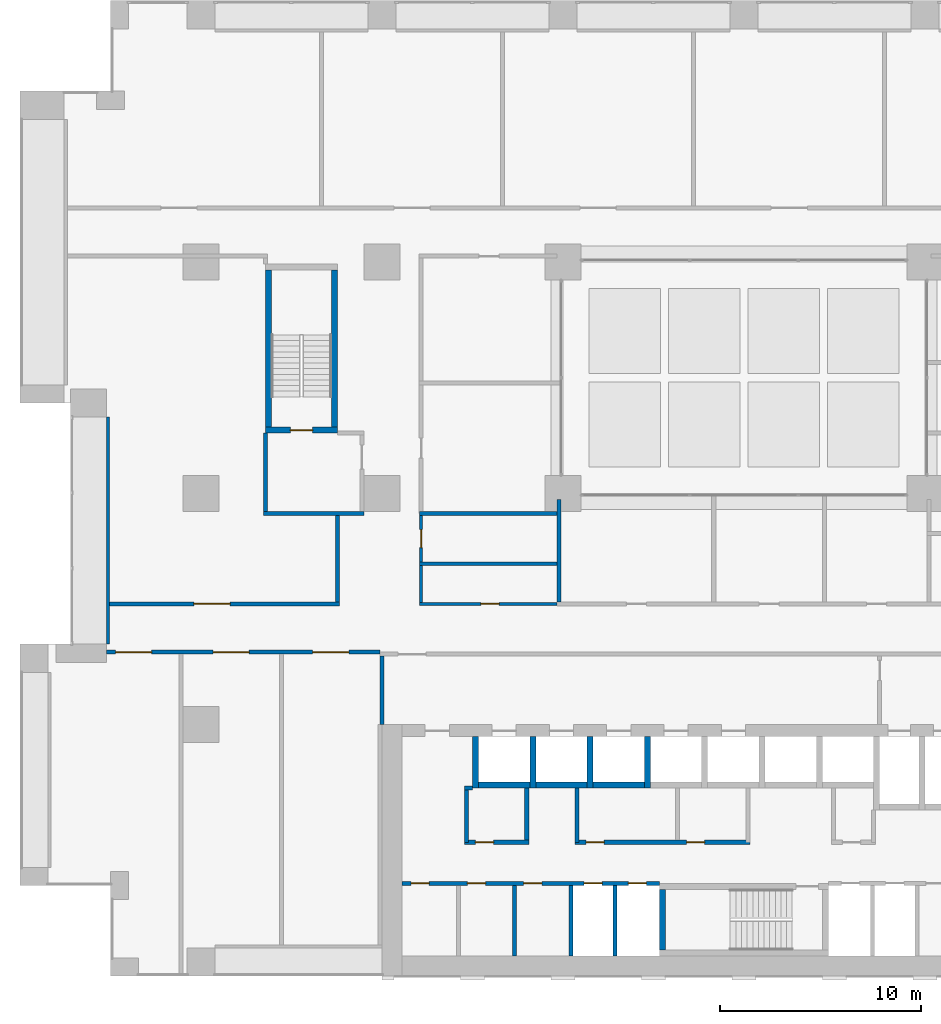
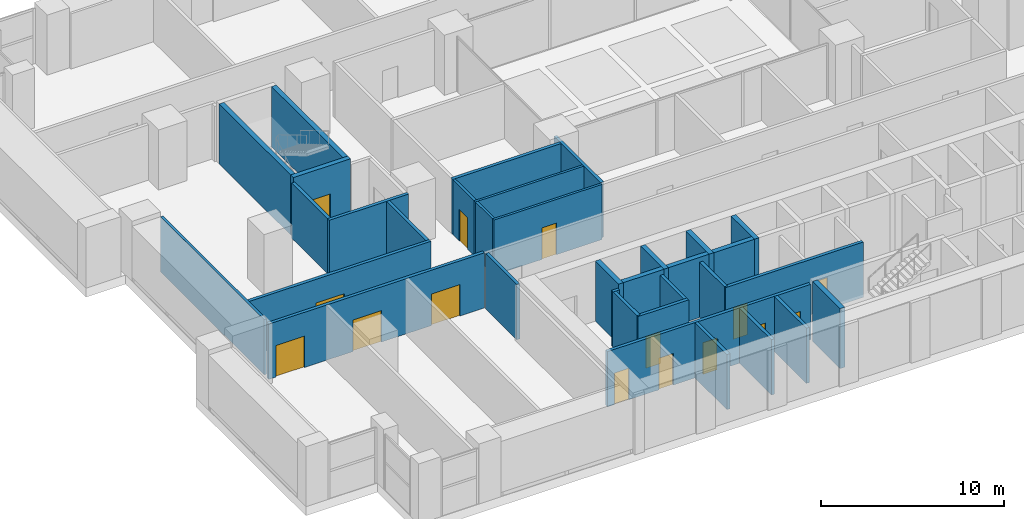
# One storey, part 20 of 24: 34 walls, 15 doors, 15 openings.
"""IFC4 building model written with IfcOpenShell, lengths in metres."""

from ifc_helpers import new_model, si_unit, direction, frame, frame_2d, origin, place, context, subcontext, project, spatial, rectangle, extrude, material, layer, layer_set, type_object, element, fill, save


model = new_model("IFC4")

# Units and contexts
model_context = context("Model", 3, precision=1e-05, world=origin(), true_north=direction((0.0, 1.0)))
body_context = subcontext(model_context, "Body", "Model", "MODEL_VIEW")
ifc_project = project(units=[si_unit("LENGTHUNIT", "METRE"), si_unit("AREAUNIT", "SQUARE_METRE"), si_unit("VOLUMEUNIT", "CUBIC_METRE"), si_unit("PLANEANGLEUNIT", "RADIAN"), si_unit("MASSUNIT", "GRAM", prefix="KILO")], contexts=[model_context])

# Site, building, storey
site_placement = place(None, origin())
site = spatial("IfcSite", under=ifc_project, at=site_placement, CompositionType="ELEMENT")
building_placement = place(site_placement, origin())
building = spatial("IfcBuilding", under=site, at=building_placement, Name="Brigalow Station Residences", CompositionType="ELEMENT")
storey_placement = place(building_placement, frame((0.0, 0.0, 15.5)))
storey = spatial("IfcBuildingStorey", under=building, at=storey_placement, Name="L03", CompositionType="ELEMENT", Elevation=15.5)

# Walls
ifc_material_1 = material(Name="Concrete C80", Category="concrete")
ifc_layer_1 = layer(ifc_material_1, 0.300048828125)
ifc_layer_set_1 = layer_set([ifc_layer_1], Name="CORE SHEAR WALL 300 C80")
wall_type_1 = type_object("IfcWallType", Name="CORE SHEAR WALL 300 C80", PredefinedType="SHEAR", material=ifc_layer_set_1)
wall_1_placement = place(storey_placement, frame((22.800048828125, 9.5, 0.0), z_axis=(0.0, 0.0, 1.0), x_axis=(1.0, 0.0, 0.0)))
element("IfcWall", 1, at=wall_1_placement, inside=storey, type_object=wall_type_1, Name="CORE WALL SH-P1-S L03", PredefinedType="SHEAR", context=body_context, shape_type="SweptSolid", body=[
    extrude(rectangle(XDim=2.550048828125, YDim=0.300048828125, at=frame_2d((1.27490234375, 0.0))), origin(), (0.0, 0.0, 1.0), 4.0),
])
wall_2_placement = place(storey_placement, frame((22.64990234375, 9.35009765625, 0.0), z_axis=(0.0, 0.0, 1.0), x_axis=(0.0, 1.0, 0.0)))
element("IfcWall", 2, at=wall_2_placement, inside=storey, type_object=wall_type_1, Name="CORE WALL SH-P1-W L03", PredefinedType="SHEAR", context=body_context, shape_type="SweptSolid", body=[
    extrude(rectangle(XDim=2.5498046875, YDim=0.300048828125, at=frame_2d((1.27490234375, 0.0))), origin(), (0.0, 0.0, 1.0), 4.0),
])
wall_3_placement = place(storey_placement, frame((25.64990234375, 9.5, 0.0), z_axis=(0.0, 0.0, 1.0), x_axis=(1.0, 0.0, 0.0)))
element("IfcWall", 3, at=wall_3_placement, inside=storey, type_object=wall_type_1, Name="CORE WALL SH-P2-S L03", PredefinedType="SHEAR", context=body_context, shape_type="SweptSolid", body=[
    extrude(rectangle(XDim=2.550048828125, YDim=0.300048828125, at=frame_2d((1.27490234375, 0.0))), origin(), (0.0, 0.0, 1.0), 4.0),
])
wall_4_placement = place(storey_placement, frame((25.5, 9.35009765625, 0.0), z_axis=(0.0, 0.0, 1.0), x_axis=(0.0, 1.0, 0.0)))
element("IfcWall", 4, at=wall_4_placement, inside=storey, type_object=wall_type_1, Name="CORE WALL SH-P2-W L03", PredefinedType="SHEAR", context=body_context, shape_type="SweptSolid", body=[
    extrude(rectangle(XDim=2.5498046875, YDim=0.300048828125, at=frame_2d((1.27490234375, 0.0))), origin(), (0.0, 0.0, 1.0), 4.0),
])
wall_5_placement = place(storey_placement, frame((28.5, 9.5, 0.0), z_axis=(0.0, 0.0, 1.0), x_axis=(1.0, 0.0, 0.0)))
element("IfcWall", 5, at=wall_5_placement, inside=storey, type_object=wall_type_1, Name="CORE WALL SH-P3-S L03", PredefinedType="SHEAR", context=body_context, shape_type="SweptSolid", body=[
    extrude(rectangle(XDim=2.550048828125, YDim=0.300048828125, at=frame_2d((1.27490234375, 0.0))), origin(), (0.0, 0.0, 1.0), 4.0),
])
for number, where, z_axis, x_axis, name in (
    (6, (28.35009765625, 9.35009765625, 0.0), (0.0, 0.0, 1.0), (0.0, 1.0, 0.0), "CORE WALL SH-P3-W L03"),
    (7, (31.199951171875, 9.35009765625, 0.0), (0.0, 0.0, 1.0), (0.0, 1.0, 0.0), "CORE WALL SH-P4-W L03"),
):
    element("IfcWall", number, at=place(storey_placement, frame(where, z_axis=z_axis, x_axis=x_axis)), inside=storey, type_object=wall_type_1, Name=name, PredefinedType="SHEAR", context=body_context, shape_type="SweptSolid", body=[
        extrude(rectangle(XDim=2.5498046875, YDim=0.300048828125, at=frame_2d((1.27490234375, 0.0))), origin(), (0.0, 0.0, 1.0), 4.0),
    ])
wall_6_placement = place(storey_placement, frame((31.949951171875, 1.300048828125, 0.0), z_axis=(0.0, 0.0, 1.0), x_axis=(0.0, 1.0, 0.0)))
element("IfcWall", 8, at=wall_6_placement, inside=storey, type_object=wall_type_1, Name="CORE WALL ST-S2-W L03", PredefinedType="SHEAR", context=body_context, shape_type="SweptSolid", body=[
    extrude(rectangle(XDim=3.0, YDim=0.300048828125, at=frame_2d((1.5, 0.0))), origin(), (0.0, 0.0, 1.0), 4.0),
])

# Wall, opening, door
wall_7_placement = place(storey_placement, frame((12.199951171875, 27.14990234375, 0.0), z_axis=(0.0, 0.0, 1.0), x_axis=(1.0, 0.0, 0.0)))
wall_7 = element("IfcWall", 9, at=wall_7_placement, inside=storey, type_object=wall_type_1, Name="CORE WALL ST-S1-S L03", PredefinedType="SHEAR", context=body_context, shape_type="SweptSolid", body=[
    extrude(rectangle(XDim=3.60009765625, YDim=0.300048828125, at=frame_2d((1.800048828125, 0.0))), origin(), (0.0, 0.0, 1.0), 4.0),
])
opening_1_placement = place(wall_7_placement, frame((1.25, 0.0, 0.0)))
opening_1 = element("IfcOpeningElement", 10, at=opening_1_placement, cuts=wall_7, Name="Opening D-5015", PredefinedType="OPENING", context=body_context, shape_type="SweptSolid", body=[
    extrude(rectangle(XDim=1.10009765625, YDim=2.10009765625, at=frame_2d((0.550048828125, 1.050048828125))), frame((0.0, 0.16015625, 0.0), z_axis=(0.0, -1.0, 0.0), x_axis=(1.0, 0.0, 0.0)), (0.0, 0.0, 1.0), 0.320068359375),
])
ifc_material_2 = material(Name="Steel fire door leaf in steel frame", Category="steel")
door_type_1 = type_object("IfcDoorType", Name="STAIR DOOR 1100 x 2100 FD60S", OperationType="SINGLE_SWING_LEFT", PredefinedType="DOOR", material=ifc_material_2)
door_1_placement = place(opening_1_placement, origin())
door_1 = element("IfcDoor", 11, at=door_1_placement, inside=storey, type_object=door_type_1, Name="D-5015", OperationType="SINGLE_SWING_LEFT", OverallHeight=2.10009765625, OverallWidth=1.10009765625, PredefinedType="DOOR", context=body_context, shape_type="SweptSolid", body=[
    extrude(rectangle(XDim=1.10009765625, YDim=2.10009765625, at=frame_2d((0.550048828125, 1.050048828125))), frame((0.0, 0.02490234375, 0.0), z_axis=(0.0, -1.0, 0.0), x_axis=(1.0, 0.0, 0.0)), (0.0, 0.0, 1.0), 0.050048828125),
])
fill(opening_1, door_1)

# Walls
for number, where, z_axis, x_axis, name in (
    (12, (12.35009765625, 27.300048828125, 0.0), (0.0, 0.0, 1.0), (0.0, 1.0, 0.0), "CORE WALL ST-S1-W L03"),
    (13, (15.64990234375, 27.300048828125, 0.0), (0.0, 0.0, 1.0), (0.0, 1.0, 0.0), "CORE WALL ST-S1-E L03"),
):
    element("IfcWall", number, at=place(storey_placement, frame(where, z_axis=z_axis, x_axis=x_axis)), inside=storey, type_object=wall_type_1, Name=name, PredefinedType="SHEAR", context=body_context, shape_type="SweptSolid", body=[
        extrude(rectangle(XDim=7.800048828125, YDim=0.300048828125, at=frame_2d((3.89990234375, 0.0))), origin(), (0.0, 0.0, 1.0), 4.0),
    ])

# Wall, openings, doors
ifc_material_3 = material(Name="Concrete blockwork", Category="masonry")
ifc_layer_2 = layer(ifc_material_3, 0.199951171875)
ifc_layer_set_2 = layer_set([ifc_layer_2], Name="FIRE RATED CORE PARTITION 200")
wall_type_2 = type_object("IfcWallType", Name="FIRE RATED CORE PARTITION 200", PredefinedType="PARTITIONING", material=ifc_layer_set_2)
wall_8_placement = place(storey_placement, frame((19.0, 4.60009765625, 0.0), z_axis=(0.0, 0.0, 1.0), x_axis=(1.0, 0.0, 0.0)))
wall_8 = element("IfcWall", 14, at=wall_8_placement, inside=storey, type_object=wall_type_2, Name="PW-5001", PredefinedType="PARTITIONING", context=body_context, shape_type="SweptSolid", body=[
    extrude(rectangle(XDim=12.800048828125, YDim=0.199951171875, at=frame_2d((6.39990234375, 0.0))), origin(), (0.0, 0.0, 1.0), 3.679931640625),
])
opening_2_placement = place(wall_8_placement, frame((0.449951171875, 0.0, 0.0)))
opening_2 = element("IfcOpeningElement", 15, at=opening_2_placement, cuts=wall_8, Name="Opening D-5004", PredefinedType="OPENING", context=body_context, shape_type="SweptSolid", body=[
    extrude(rectangle(XDim=0.89990234375, YDim=2.10009765625, at=frame_2d((0.449951171875, 1.050048828125))), frame((0.0, 0.10986328125, 0.0), z_axis=(0.0, -1.0, 0.0), x_axis=(1.0, 0.0, 0.0)), (0.0, 0.0, 1.0), 0.219970703125),
])
opening_3_placement = place(wall_8_placement, frame((3.25, 0.0, 0.0)))
opening_3 = element("IfcOpeningElement", 16, at=opening_3_placement, cuts=wall_8, Name="Opening D-5043", PredefinedType="OPENING", context=body_context, shape_type="SweptSolid", body=[
    extrude(rectangle(XDim=0.89990234375, YDim=2.10009765625, at=frame_2d((0.449951171875, 1.050048828125))), frame((0.0, 0.10986328125, 0.0), z_axis=(0.0, -1.0, 0.0), x_axis=(1.0, 0.0, 0.0)), (0.0, 0.0, 1.0), 0.219970703125),
])
opening_4_placement = place(wall_8_placement, frame((6.050048828125, 0.0, 0.0)))
opening_4 = element("IfcOpeningElement", 17, at=opening_4_placement, cuts=wall_8, Name="Opening D-5044", PredefinedType="OPENING", context=body_context, shape_type="SweptSolid", body=[
    extrude(rectangle(XDim=0.89990234375, YDim=2.10009765625, at=frame_2d((0.449951171875, 1.050048828125))), frame((0.0, 0.10986328125, 0.0), z_axis=(0.0, -1.0, 0.0), x_axis=(1.0, 0.0, 0.0)), (0.0, 0.0, 1.0), 0.219970703125),
])
opening_5_placement = place(wall_8_placement, frame((9.050048828125, 0.0, 0.0)))
opening_5 = element("IfcOpeningElement", 18, at=opening_5_placement, cuts=wall_8, Name="Opening D-5007", PredefinedType="OPENING", context=body_context, shape_type="SweptSolid", body=[
    extrude(rectangle(XDim=0.89990234375, YDim=2.10009765625, at=frame_2d((0.449951171875, 1.050048828125))), frame((0.0, 0.10986328125, 0.0), z_axis=(0.0, -1.0, 0.0), x_axis=(1.0, 0.0, 0.0)), (0.0, 0.0, 1.0), 0.219970703125),
])
opening_6_placement = place(wall_8_placement, frame((11.25, 0.0, 0.0)))
opening_6 = element("IfcOpeningElement", 19, at=opening_6_placement, cuts=wall_8, Name="Opening D-5008", PredefinedType="OPENING", context=body_context, shape_type="SweptSolid", body=[
    extrude(rectangle(XDim=0.89990234375, YDim=2.10009765625, at=frame_2d((0.449951171875, 1.050048828125))), frame((0.0, 0.10986328125, 0.0), z_axis=(0.0, -1.0, 0.0), x_axis=(1.0, 0.0, 0.0)), (0.0, 0.0, 1.0), 0.219970703125),
])
ifc_material_4 = material(Name="Steel fire door leaf in steel frame", Category="steel")
door_type_2 = type_object("IfcDoorType", Name="PLANT ROOM DOOR 900 x 2100 FD60", OperationType="SINGLE_SWING_LEFT", PredefinedType="DOOR", material=ifc_material_4)
door_2_placement = place(opening_2_placement, frame((0.89990234375, 0.0, 0.0), z_axis=(0.0, 0.0, 1.0), x_axis=(-1.0, 0.0, 0.0)))
door_2 = element("IfcDoor", 20, at=door_2_placement, inside=storey, type_object=door_type_2, Name="D-5004", OperationType="SINGLE_SWING_RIGHT", OverallHeight=2.10009765625, OverallWidth=0.89990234375, PredefinedType="DOOR", context=body_context, shape_type="SweptSolid", body=[
    extrude(rectangle(XDim=0.89990234375, YDim=2.10009765625, at=frame_2d((0.449951171875, 1.050048828125))), frame((0.0, 0.02490234375, 0.0), z_axis=(0.0, -1.0, 0.0), x_axis=(1.0, 0.0, 0.0)), (0.0, 0.0, 1.0), 0.050048828125),
])
fill(opening_2, door_2)
door_3_placement = place(opening_3_placement, frame((0.89990234375, 0.0, 0.0), z_axis=(0.0, 0.0, 1.0), x_axis=(-1.0, 0.0, 0.0)))
door_3 = element("IfcDoor", 21, at=door_3_placement, inside=storey, type_object=door_type_2, Name="D-5043", OperationType="SINGLE_SWING_RIGHT", OverallHeight=2.10009765625, OverallWidth=0.89990234375, PredefinedType="DOOR", context=body_context, shape_type="SweptSolid", body=[
    extrude(rectangle(XDim=0.89990234375, YDim=2.10009765625, at=frame_2d((0.449951171875, 1.050048828125))), frame((0.0, 0.02490234375, 0.0), z_axis=(0.0, -1.0, 0.0), x_axis=(1.0, 0.0, 0.0)), (0.0, 0.0, 1.0), 0.050048828125),
])
fill(opening_3, door_3)
door_4_placement = place(opening_4_placement, frame((0.89990234375, 0.0, 0.0), z_axis=(0.0, 0.0, 1.0), x_axis=(-1.0, 0.0, 0.0)))
door_4 = element("IfcDoor", 22, at=door_4_placement, inside=storey, type_object=door_type_2, Name="D-5044", OperationType="SINGLE_SWING_RIGHT", OverallHeight=2.10009765625, OverallWidth=0.89990234375, PredefinedType="DOOR", context=body_context, shape_type="SweptSolid", body=[
    extrude(rectangle(XDim=0.89990234375, YDim=2.10009765625, at=frame_2d((0.449951171875, 1.050048828125))), frame((0.0, 0.02490234375, 0.0), z_axis=(0.0, -1.0, 0.0), x_axis=(1.0, 0.0, 0.0)), (0.0, 0.0, 1.0), 0.050048828125),
])
fill(opening_4, door_4)
ifc_material_5 = material(Name="Steel fire door leaf in steel frame", Category="steel")
door_type_3 = type_object("IfcDoorType", Name="RISER ACCESS DOOR 900 x 2100 FD120", OperationType="SINGLE_SWING_LEFT", PredefinedType="DOOR", material=ifc_material_5)
door_5_placement = place(opening_5_placement, frame((0.89990234375, 0.0, 0.0), z_axis=(0.0, 0.0, 1.0), x_axis=(-1.0, 0.0, 0.0)))
door_5 = element("IfcDoor", 23, at=door_5_placement, inside=storey, type_object=door_type_3, Name="D-5007", OperationType="SINGLE_SWING_RIGHT", OverallHeight=2.10009765625, OverallWidth=0.89990234375, PredefinedType="DOOR", context=body_context, shape_type="SweptSolid", body=[
    extrude(rectangle(XDim=0.89990234375, YDim=2.10009765625, at=frame_2d((0.449951171875, 1.050048828125))), frame((0.0, 0.02490234375, 0.0), z_axis=(0.0, -1.0, 0.0), x_axis=(1.0, 0.0, 0.0)), (0.0, 0.0, 1.0), 0.050048828125),
])
fill(opening_5, door_5)
door_6_placement = place(opening_6_placement, frame((0.89990234375, 0.0, 0.0), z_axis=(0.0, 0.0, 1.0), x_axis=(-1.0, 0.0, 0.0)))
door_6 = element("IfcDoor", 24, at=door_6_placement, inside=storey, type_object=door_type_3, Name="D-5008", OperationType="SINGLE_SWING_RIGHT", OverallHeight=2.10009765625, OverallWidth=0.89990234375, PredefinedType="DOOR", context=body_context, shape_type="SweptSolid", body=[
    extrude(rectangle(XDim=0.89990234375, YDim=2.10009765625, at=frame_2d((0.449951171875, 1.050048828125))), frame((0.0, 0.02490234375, 0.0), z_axis=(0.0, -1.0, 0.0), x_axis=(1.0, 0.0, 0.0)), (0.0, 0.0, 1.0), 0.050048828125),
])
fill(opening_6, door_6)

# Wall, opening, door
wall_9_placement = place(storey_placement, frame((22.10009765625, 6.64990234375, 0.0), z_axis=(0.0, 0.0, 1.0), x_axis=(1.0, 0.0, 0.0)))
wall_9 = element("IfcWall", 25, at=wall_9_placement, inside=storey, type_object=wall_type_2, Name="PW-5054", PredefinedType="PARTITIONING", context=body_context, shape_type="SweptSolid", body=[
    extrude(rectangle(XDim=3.199951171875, YDim=0.199951171875, at=frame_2d((1.60009765625, 0.0))), origin(), (0.0, 0.0, 1.0), 3.679931640625),
])
opening_7_placement = place(wall_9_placement, frame((0.550048828125, 0.0, 0.0)))
opening_7 = element("IfcOpeningElement", 26, at=opening_7_placement, cuts=wall_9, Name="Opening D-5002", PredefinedType="OPENING", context=body_context, shape_type="SweptSolid", body=[
    extrude(rectangle(XDim=0.89990234375, YDim=2.10009765625, at=frame_2d((0.449951171875, 1.050048828125))), frame((0.0, 0.10986328125, 0.0), z_axis=(0.0, -1.0, 0.0), x_axis=(1.0, 0.0, 0.0)), (0.0, 0.0, 1.0), 0.219970703125),
])
door_7_placement = place(opening_7_placement, origin())
door_7 = element("IfcDoor", 27, at=door_7_placement, inside=storey, type_object=door_type_2, Name="D-5002", OperationType="SINGLE_SWING_LEFT", OverallHeight=2.10009765625, OverallWidth=0.89990234375, PredefinedType="DOOR", context=body_context, shape_type="SweptSolid", body=[
    extrude(rectangle(XDim=0.89990234375, YDim=2.10009765625, at=frame_2d((0.449951171875, 1.050048828125))), frame((0.0, 0.02490234375, 0.0), z_axis=(0.0, -1.0, 0.0), x_axis=(1.0, 0.0, 0.0)), (0.0, 0.0, 1.0), 0.050048828125),
])
fill(opening_7, door_7)

# Wall, openings, doors
wall_10_placement = place(storey_placement, frame((27.60009765625, 6.64990234375, 0.0), z_axis=(0.0, 0.0, 1.0), x_axis=(1.0, 0.0, 0.0)))
wall_10 = element("IfcWall", 28, at=wall_10_placement, inside=storey, type_object=wall_type_2, Name="PW-5055", PredefinedType="PARTITIONING", context=body_context, shape_type="SweptSolid", body=[
    extrude(rectangle(XDim=8.699951171875, YDim=0.199951171875, at=frame_2d((4.35009765625, 0.0))), origin(), (0.0, 0.0, 1.0), 3.679931640625),
])
opening_8_placement = place(wall_10_placement, frame((0.550048828125, 0.0, 0.0)))
opening_8 = element("IfcOpeningElement", 29, at=opening_8_placement, cuts=wall_10, Name="Opening D-5040", PredefinedType="OPENING", context=body_context, shape_type="SweptSolid", body=[
    extrude(rectangle(XDim=0.89990234375, YDim=2.10009765625, at=frame_2d((0.449951171875, 1.050048828125))), frame((0.0, 0.10986328125, 0.0), z_axis=(0.0, -1.0, 0.0), x_axis=(1.0, 0.0, 0.0)), (0.0, 0.0, 1.0), 0.219970703125),
])
opening_9_placement = place(wall_10_placement, frame((5.550048828125, 0.0, 0.0)))
opening_9 = element("IfcOpeningElement", 30, at=opening_9_placement, cuts=wall_10, Name="Opening D-5041", PredefinedType="OPENING", context=body_context, shape_type="SweptSolid", body=[
    extrude(rectangle(XDim=0.89990234375, YDim=2.10009765625, at=frame_2d((0.449951171875, 1.050048828125))), frame((0.0, 0.10986328125, 0.0), z_axis=(0.0, -1.0, 0.0), x_axis=(1.0, 0.0, 0.0)), (0.0, 0.0, 1.0), 0.219970703125),
])
door_8_placement = place(opening_8_placement, origin())
door_8 = element("IfcDoor", 31, at=door_8_placement, inside=storey, type_object=door_type_2, Name="D-5040", OperationType="SINGLE_SWING_LEFT", OverallHeight=2.10009765625, OverallWidth=0.89990234375, PredefinedType="DOOR", context=body_context, shape_type="SweptSolid", body=[
    extrude(rectangle(XDim=0.89990234375, YDim=2.10009765625, at=frame_2d((0.449951171875, 1.050048828125))), frame((0.0, 0.02490234375, 0.0), z_axis=(0.0, -1.0, 0.0), x_axis=(1.0, 0.0, 0.0)), (0.0, 0.0, 1.0), 0.050048828125),
])
fill(opening_8, door_8)
door_9_placement = place(opening_9_placement, origin())
door_9 = element("IfcDoor", 32, at=door_9_placement, inside=storey, type_object=door_type_2, Name="D-5041", OperationType="SINGLE_SWING_LEFT", OverallHeight=2.10009765625, OverallWidth=0.89990234375, PredefinedType="DOOR", context=body_context, shape_type="SweptSolid", body=[
    extrude(rectangle(XDim=0.89990234375, YDim=2.10009765625, at=frame_2d((0.449951171875, 1.050048828125))), frame((0.0, 0.02490234375, 0.0), z_axis=(0.0, -1.0, 0.0), x_axis=(1.0, 0.0, 0.0)), (0.0, 0.0, 1.0), 0.050048828125),
])
fill(opening_9, door_9)

# Walls
wall_11_placement = place(storey_placement, frame((22.10009765625, 9.35009765625, 0.0), z_axis=(0.0, 0.0, 1.0), x_axis=(1.0, 0.0, 0.0)))
element("IfcWall", 33, at=wall_11_placement, inside=storey, type_object=wall_type_2, Name="PW-5004", PredefinedType="PARTITIONING", context=body_context, shape_type="SweptSolid", body=[
    extrude(rectangle(XDim=0.39990234375, YDim=0.199951171875, at=frame_2d((0.199951171875, 0.0))), origin(), (0.0, 0.0, 1.0), 3.679931640625),
])
wall_12_placement = place(storey_placement, frame((12.10009765625, 23.0, 0.0), z_axis=(0.0, 0.0, 1.0), x_axis=(1.0, 0.0, 0.0)))
element("IfcWall", 34, at=wall_12_placement, inside=storey, type_object=wall_type_2, Name="PW-5023", PredefinedType="PARTITIONING", context=body_context, shape_type="SweptSolid", body=[
    extrude(rectangle(XDim=5.0, YDim=0.199951171875, at=frame_2d((2.5, 0.0))), origin(), (0.0, 0.0, 1.0), 3.679931640625),
])
for number, where, z_axis, x_axis, name in (
    (35, (24.60009765625, 1.0, 0.0), (0.0, 0.0, 1.0), (0.0, 1.0, 0.0), "PW-5058"),
    (36, (27.39990234375, 1.0, 0.0), (0.0, 0.0, 1.0), (0.0, 1.0, 0.0), "PW-5005"),
    (37, (29.60009765625, 1.0, 0.0), (0.0, 0.0, 1.0), (0.0, 1.0, 0.0), "PW-5006"),
):
    element("IfcWall", number, at=place(storey_placement, frame(where, z_axis=z_axis, x_axis=x_axis)), inside=storey, type_object=wall_type_2, Name=name, PredefinedType="PARTITIONING", context=body_context, shape_type="SweptSolid", body=[
        extrude(rectangle(XDim=3.5, YDim=0.199951171875, at=frame_2d((1.75, 0.0))), origin(), (0.0, 0.0, 1.0), 3.679931640625),
    ])
for number, where, z_axis, x_axis, name in (
    (38, (22.199951171875, 6.64990234375, 0.0), (0.0, 0.0, 1.0), (0.0, 1.0, 0.0), "PW-5010"),
    (39, (27.699951171875, 6.64990234375, 0.0), (0.0, 0.0, 1.0), (0.0, 1.0, 0.0), "PW-5059"),
):
    element("IfcWall", number, at=place(storey_placement, frame(where, z_axis=z_axis, x_axis=x_axis)), inside=storey, type_object=wall_type_2, Name=name, PredefinedType="PARTITIONING", context=body_context, shape_type="SweptSolid", body=[
        extrude(rectangle(XDim=2.7001953125, YDim=0.199951171875, at=frame_2d((1.35009765625, 0.0))), origin(), (0.0, 0.0, 1.0), 3.679931640625),
    ])
wall_13_placement = place(storey_placement, frame((25.199951171875, 6.75, 0.0), z_axis=(0.0, 0.0, 1.0), x_axis=(0.0, 1.0, 0.0)))
element("IfcWall", 40, at=wall_13_placement, inside=storey, type_object=wall_type_2, Name="PW-5061", PredefinedType="PARTITIONING", context=body_context, shape_type="SweptSolid", body=[
    extrude(rectangle(XDim=2.60009765625, YDim=0.199951171875, at=frame_2d((1.300048828125, 0.0))), origin(), (0.0, 0.0, 1.0), 3.679931640625),
])
wall_14_placement = place(storey_placement, frame((18.0, 12.5, 0.0), z_axis=(0.0, 0.0, 1.0), x_axis=(0.0, 1.0, 0.0)))
element("IfcWall", 41, at=wall_14_placement, inside=storey, type_object=wall_type_2, Name="PW-5013", PredefinedType="PARTITIONING", context=body_context, shape_type="SweptSolid", body=[
    extrude(rectangle(XDim=3.39990234375, YDim=0.199951171875, at=frame_2d((1.699951171875, 0.0))), origin(), (0.0, 0.0, 1.0), 3.679931640625),
])
wall_15_placement = place(storey_placement, frame((12.199951171875, 23.10009765625, 0.0), z_axis=(0.0, 0.0, 1.0), x_axis=(0.0, 1.0, 0.0)))
element("IfcWall", 42, at=wall_15_placement, inside=storey, type_object=wall_type_2, Name="PW-5034", PredefinedType="PARTITIONING", context=body_context, shape_type="SweptSolid", body=[
    extrude(rectangle(XDim=3.89990234375, YDim=0.199951171875, at=frame_2d((1.949951171875, 0.0))), origin(), (0.0, 0.0, 1.0), 3.679931640625),
])

# Wall, openings, doors
wall_16_placement = place(storey_placement, frame((4.300048828125, 16.10009765625, 0.0), z_axis=(0.0, 0.0, 1.0), x_axis=(1.0, 0.0, 0.0)))
wall_16 = element("IfcWall", 43, at=wall_16_placement, inside=storey, type_object=wall_type_2, Name="PW-5064", PredefinedType="PARTITIONING", context=body_context, shape_type="SweptSolid", body=[
    extrude(rectangle(XDim=13.599853515625, YDim=0.199951171875, at=frame_2d((6.7998046875, 0.0))), origin(), (0.0, 0.0, 1.0), 3.679931640625),
])
opening_10_placement = place(wall_16_placement, frame((0.449951171875, 0.0, 0.0)))
opening_10 = element("IfcOpeningElement", 44, at=opening_10_placement, cuts=wall_16, Name="Opening D-5045", PredefinedType="OPENING", context=body_context, shape_type="SweptSolid", body=[
    extrude(rectangle(XDim=1.800048828125, YDim=2.10009765625, at=frame_2d((0.89990234375, 1.050048828125))), frame((0.0, 0.10986328125, 0.0), z_axis=(0.0, -1.0, 0.0), x_axis=(1.0, 0.0, 0.0)), (0.0, 0.0, 1.0), 0.219970703125),
])
opening_11_placement = place(wall_16_placement, frame((5.300048828125, 0.0, 0.0)))
opening_11 = element("IfcOpeningElement", 45, at=opening_11_placement, cuts=wall_16, Name="Opening D-5046", PredefinedType="OPENING", context=body_context, shape_type="SweptSolid", body=[
    extrude(rectangle(XDim=1.800048828125, YDim=2.10009765625, at=frame_2d((0.89990234375, 1.050048828125))), frame((0.0, 0.10986328125, 0.0), z_axis=(0.0, -1.0, 0.0), x_axis=(1.0, 0.0, 0.0)), (0.0, 0.0, 1.0), 0.219970703125),
])
opening_12_placement = place(wall_16_placement, frame((10.25, 0.0, 0.0)))
opening_12 = element("IfcOpeningElement", 46, at=opening_12_placement, cuts=wall_16, Name="Opening D-5047", PredefinedType="OPENING", context=body_context, shape_type="SweptSolid", body=[
    extrude(rectangle(XDim=1.800048828125, YDim=2.10009765625, at=frame_2d((0.89990234375, 1.050048828125))), frame((0.0, 0.10986328125, 0.0), z_axis=(0.0, -1.0, 0.0), x_axis=(1.0, 0.0, 0.0)), (0.0, 0.0, 1.0), 0.219970703125),
])
ifc_material_6 = material(Name="Steel fire door leaf in steel frame", Category="steel")
door_type_4 = type_object("IfcDoorType", Name="PLANT ROOM DOOR 1800 x 2100 FD60", OperationType="DOUBLE_DOOR_SINGLE_SWING", PredefinedType="DOOR", material=ifc_material_6)
door_10_placement = place(opening_10_placement, frame((1.800048828125, 0.0, 0.0), z_axis=(0.0, 0.0, 1.0), x_axis=(-1.0, 0.0, 0.0)))
door_10 = element("IfcDoor", 47, at=door_10_placement, inside=storey, type_object=door_type_4, Name="D-5045", OperationType="DOUBLE_DOOR_SINGLE_SWING", OverallHeight=2.10009765625, OverallWidth=1.800048828125, PredefinedType="DOOR", context=body_context, shape_type="SweptSolid", body=[
    extrude(rectangle(XDim=1.800048828125, YDim=2.10009765625, at=frame_2d((0.89990234375, 1.050048828125))), frame((0.0, 0.02490234375, 0.0), z_axis=(0.0, -1.0, 0.0), x_axis=(1.0, 0.0, 0.0)), (0.0, 0.0, 1.0), 0.050048828125),
])
fill(opening_10, door_10)
door_11_placement = place(opening_11_placement, frame((1.800048828125, 0.0, 0.0), z_axis=(0.0, 0.0, 1.0), x_axis=(-1.0, 0.0, 0.0)))
door_11 = element("IfcDoor", 48, at=door_11_placement, inside=storey, type_object=door_type_4, Name="D-5046", OperationType="DOUBLE_DOOR_SINGLE_SWING", OverallHeight=2.10009765625, OverallWidth=1.800048828125, PredefinedType="DOOR", context=body_context, shape_type="SweptSolid", body=[
    extrude(rectangle(XDim=1.800048828125, YDim=2.10009765625, at=frame_2d((0.89990234375, 1.050048828125))), frame((0.0, 0.02490234375, 0.0), z_axis=(0.0, -1.0, 0.0), x_axis=(1.0, 0.0, 0.0)), (0.0, 0.0, 1.0), 0.050048828125),
])
fill(opening_11, door_11)
door_12_placement = place(opening_12_placement, frame((1.800048828125, 0.0, 0.0), z_axis=(0.0, 0.0, 1.0), x_axis=(-1.0, 0.0, 0.0)))
door_12 = element("IfcDoor", 49, at=door_12_placement, inside=storey, type_object=door_type_4, Name="D-5047", OperationType="DOUBLE_DOOR_SINGLE_SWING", OverallHeight=2.10009765625, OverallWidth=1.800048828125, PredefinedType="DOOR", context=body_context, shape_type="SweptSolid", body=[
    extrude(rectangle(XDim=1.800048828125, YDim=2.10009765625, at=frame_2d((0.89990234375, 1.050048828125))), frame((0.0, 0.02490234375, 0.0), z_axis=(0.0, -1.0, 0.0), x_axis=(1.0, 0.0, 0.0)), (0.0, 0.0, 1.0), 0.050048828125),
])
fill(opening_12, door_12)

# Wall, opening, door
wall_17_placement = place(storey_placement, frame((4.449951171875, 18.5, 0.0), z_axis=(0.0, 0.0, 1.0), x_axis=(1.0, 0.0, 0.0)))
wall_17 = element("IfcWall", 50, at=wall_17_placement, inside=storey, type_object=wall_type_2, Name="PW-5066", PredefinedType="PARTITIONING", context=body_context, shape_type="SweptSolid", body=[
    extrude(rectangle(XDim=11.449951171875, YDim=0.199951171875, at=frame_2d((5.72509765625, 0.0))), origin(), (0.0, 0.0, 1.0), 3.679931640625),
])
opening_13_placement = place(wall_17_placement, frame((4.199951171875, 0.0, 0.0)))
opening_13 = element("IfcOpeningElement", 51, at=opening_13_placement, cuts=wall_17, Name="Opening D-5063", PredefinedType="OPENING", context=body_context, shape_type="SweptSolid", body=[
    extrude(rectangle(XDim=1.800048828125, YDim=2.10009765625, at=frame_2d((0.89990234375, 1.050048828125))), frame((0.0, 0.10986328125, 0.0), z_axis=(0.0, -1.0, 0.0), x_axis=(1.0, 0.0, 0.0)), (0.0, 0.0, 1.0), 0.219970703125),
])
door_13_placement = place(opening_13_placement, origin())
door_13 = element("IfcDoor", 52, at=door_13_placement, inside=storey, type_object=door_type_4, Name="D-5063", OperationType="DOUBLE_DOOR_SINGLE_SWING", OverallHeight=2.10009765625, OverallWidth=1.800048828125, PredefinedType="DOOR", context=body_context, shape_type="SweptSolid", body=[
    extrude(rectangle(XDim=1.800048828125, YDim=2.10009765625, at=frame_2d((0.89990234375, 1.050048828125))), frame((0.0, 0.02490234375, 0.0), z_axis=(0.0, -1.0, 0.0), x_axis=(1.0, 0.0, 0.0)), (0.0, 0.0, 1.0), 0.050048828125),
])
fill(opening_13, door_13)

# Walls
wall_18_placement = place(storey_placement, frame((19.875, 23.0, 0.0), z_axis=(0.0, 0.0, 1.0), x_axis=(1.0, 0.0, 0.0)))
element("IfcWall", 53, at=wall_18_placement, inside=storey, type_object=wall_type_2, Name="PW-5072", PredefinedType="PARTITIONING", context=body_context, shape_type="SweptSolid", body=[
    extrude(rectangle(XDim=7.02490234375, YDim=0.199951171875, at=frame_2d((3.512451171875, 0.0))), origin(), (0.0, 0.0, 1.0), 3.679931640625),
])
wall_19_placement = place(storey_placement, frame((15.800048828125, 18.60009765625, 0.0), z_axis=(0.0, 0.0, 1.0), x_axis=(0.0, 1.0, 0.0)))
element("IfcWall", 54, at=wall_19_placement, inside=storey, type_object=wall_type_2, Name="PW-5089", PredefinedType="PARTITIONING", context=body_context, shape_type="SweptSolid", body=[
    extrude(rectangle(XDim=4.2998046875, YDim=0.199951171875, at=frame_2d((2.14990234375, 0.0))), origin(), (0.0, 0.0, 1.0), 3.679931640625),
])
wall_20_placement = place(storey_placement, frame((26.800048828125, 18.60009765625, 0.0), z_axis=(0.0, 0.0, 1.0), x_axis=(0.0, 1.0, 0.0)))
element("IfcWall", 55, at=wall_20_placement, inside=storey, type_object=wall_type_2, Name="PW-5090", PredefinedType="PARTITIONING", context=body_context, shape_type="SweptSolid", body=[
    extrude(rectangle(XDim=5.099853515625, YDim=0.199951171875, at=frame_2d((2.5498046875, 0.0))), origin(), (0.0, 0.0, 1.0), 3.679931640625),
])

# Wall, opening, door
ifc_material_7 = material(Name="Plasterboard on steel studs", Category="steel")
ifc_layer_3 = layer(ifc_material_7, 0.14990234375)
ifc_layer_set_3 = layer_set([ifc_layer_3], Name="SERVICE ROOM PARTITION 150")
wall_type_3 = type_object("IfcWallType", Name="SERVICE ROOM PARTITION 150", PredefinedType="PARTITIONING", material=ifc_layer_set_3)
wall_21_placement = place(storey_placement, frame((19.875, 18.5, 0.0), z_axis=(0.0, 0.0, 1.0), x_axis=(1.0, 0.0, 0.0)))
wall_21 = element("IfcWall", 56, at=wall_21_placement, inside=storey, type_object=wall_type_3, Name="PW-5069", PredefinedType="PARTITIONING", context=body_context, shape_type="SweptSolid", body=[
    extrude(rectangle(XDim=6.824951171875, YDim=0.14990234375, at=frame_2d((3.41259765625, 0.0))), origin(), (0.0, 0.0, 1.0), 3.679931640625),
])
opening_14_placement = place(wall_21_placement, frame((3.050048828125, 0.0, 0.0)))
opening_14 = element("IfcOpeningElement", 57, at=opening_14_placement, cuts=wall_21, Name="Opening D-5052", PredefinedType="OPENING", context=body_context, shape_type="SweptSolid", body=[
    extrude(rectangle(XDim=0.89990234375, YDim=2.10009765625, at=frame_2d((0.449951171875, 1.050048828125))), frame((0.0, 0.0849609375, 0.0), z_axis=(0.0, -1.0, 0.0), x_axis=(1.0, 0.0, 0.0)), (0.0, 0.0, 1.0), 0.169921875),
])
ifc_material_8 = material(Name="Timber door leaf in steel frame", Category="steel")
door_type_5 = type_object("IfcDoorType", Name="WC DOOR 900 x 2100 FD60", OperationType="SINGLE_SWING_LEFT", PredefinedType="DOOR", material=ifc_material_8)
door_14_placement = place(opening_14_placement, origin())
door_14 = element("IfcDoor", 58, at=door_14_placement, inside=storey, type_object=door_type_5, Name="D-5052", OperationType="SINGLE_SWING_RIGHT", OverallHeight=2.10009765625, OverallWidth=0.89990234375, PredefinedType="DOOR", context=body_context, shape_type="SweptSolid", body=[
    extrude(rectangle(XDim=0.89990234375, YDim=2.10009765625, at=frame_2d((0.449951171875, 1.050048828125))), frame((0.0, 0.02490234375, 0.0), z_axis=(0.0, -1.0, 0.0), x_axis=(1.0, 0.0, 0.0)), (0.0, 0.0, 1.0), 0.050048828125),
])
fill(opening_14, door_14)

# Walls
wall_22_placement = place(storey_placement, frame((19.875, 20.5, 0.0), z_axis=(0.0, 0.0, 1.0), x_axis=(1.0, 0.0, 0.0)))
element("IfcWall", 59, at=wall_22_placement, inside=storey, type_object=wall_type_3, Name="PW-5070", PredefinedType="PARTITIONING", context=body_context, shape_type="SweptSolid", body=[
    extrude(rectangle(XDim=7.02490234375, YDim=0.14990234375, at=frame_2d((3.512451171875, 0.0))), origin(), (0.0, 0.0, 1.0), 3.679931640625),
])
wall_23_placement = place(storey_placement, frame((19.949951171875, 18.574951171875, 0.0), z_axis=(0.0, 0.0, 1.0), x_axis=(0.0, 1.0, 0.0)))
element("IfcWall", 60, at=wall_23_placement, inside=storey, type_object=wall_type_3, Name="PW-5088", PredefinedType="PARTITIONING", context=body_context, shape_type="SweptSolid", body=[
    extrude(rectangle(XDim=1.85009765625, YDim=0.14990234375, at=frame_2d((0.925048828125, 0.0))), origin(), (0.0, 0.0, 1.0), 3.679931640625),
])

# Wall, opening, door
wall_24_placement = place(storey_placement, frame((19.949951171875, 20.574951171875, 0.0), z_axis=(0.0, 0.0, 1.0), x_axis=(0.0, 1.0, 0.0)))
wall_24 = element("IfcWall", 61, at=wall_24_placement, inside=storey, type_object=wall_type_3, Name="PW-5096", PredefinedType="PARTITIONING", context=body_context, shape_type="SweptSolid", body=[
    extrude(rectangle(XDim=2.324951171875, YDim=0.14990234375, at=frame_2d((1.16259765625, 0.0))), origin(), (0.0, 0.0, 1.0), 3.679931640625),
])
opening_15_placement = place(wall_24_placement, frame((0.72509765625, 0.0, 0.0)))
opening_15 = element("IfcOpeningElement", 62, at=opening_15_placement, cuts=wall_24, Name="Opening D-5053", PredefinedType="OPENING", context=body_context, shape_type="SweptSolid", body=[
    extrude(rectangle(XDim=0.89990234375, YDim=2.10009765625, at=frame_2d((0.449951171875, 1.050048828125))), frame((0.0, 0.0849609375, 0.0), z_axis=(0.0, -1.0, 0.0), x_axis=(1.0, 0.0, 0.0)), (0.0, 0.0, 1.0), 0.169921875),
])
door_15_placement = place(opening_15_placement, frame((0.89990234375, 0.0, 0.0), z_axis=(0.0, 0.0, 1.0), x_axis=(-1.0, 0.0, 0.0)))
door_15 = element("IfcDoor", 63, at=door_15_placement, inside=storey, type_object=door_type_5, Name="D-5053", OperationType="SINGLE_SWING_LEFT", OverallHeight=2.10009765625, OverallWidth=0.89990234375, PredefinedType="DOOR", context=body_context, shape_type="SweptSolid", body=[
    extrude(rectangle(XDim=0.89990234375, YDim=2.10009765625, at=frame_2d((0.449951171875, 1.050048828125))), frame((0.0, 0.02490234375, 0.0), z_axis=(0.0, -1.0, 0.0), x_axis=(1.0, 0.0, 0.0)), (0.0, 0.0, 1.0), 0.050048828125),
])
fill(opening_15, door_15)

# Wall
wall_25_placement = place(storey_placement, frame((4.375, 16.5, 0.0), z_axis=(0.0, 0.0, 1.0), x_axis=(0.0, 1.0, 0.0)))
element("IfcWall", 64, at=wall_25_placement, inside=storey, type_object=wall_type_3, Name="PW-5124", PredefinedType="PARTITIONING", context=body_context, shape_type="SweptSolid", body=[
    extrude(rectangle(XDim=11.300048828125, YDim=0.14990234375, at=frame_2d((5.64990234375, 0.0))), origin(), (0.0, 0.0, 1.0), 3.679931640625),
])

save(model, "model.ifc")
